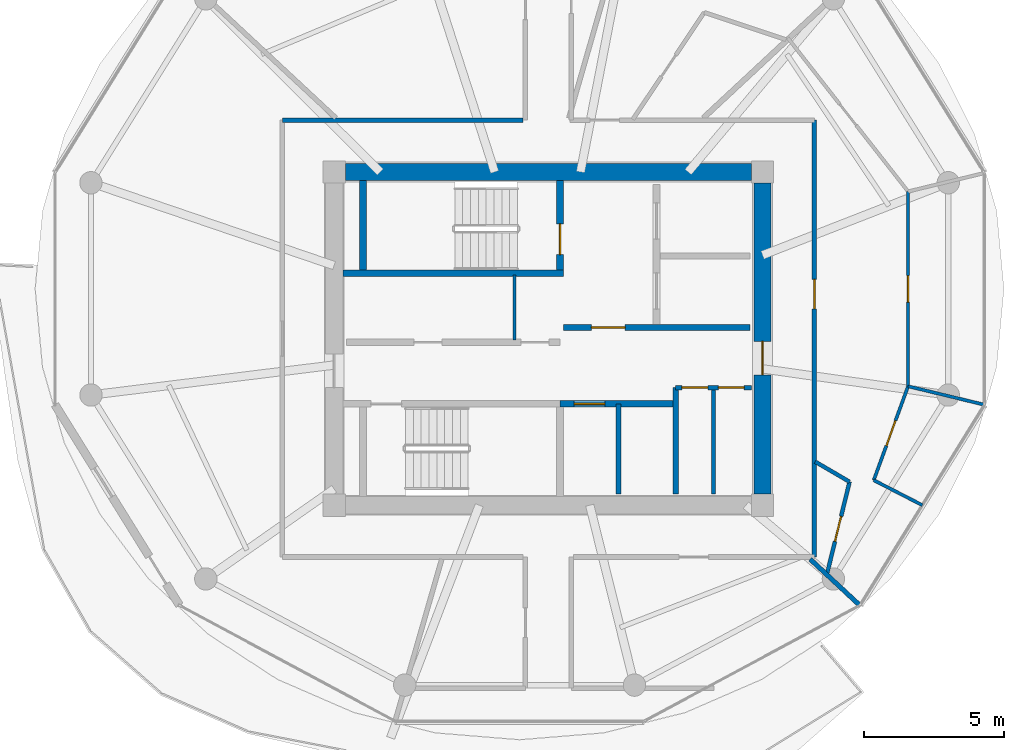
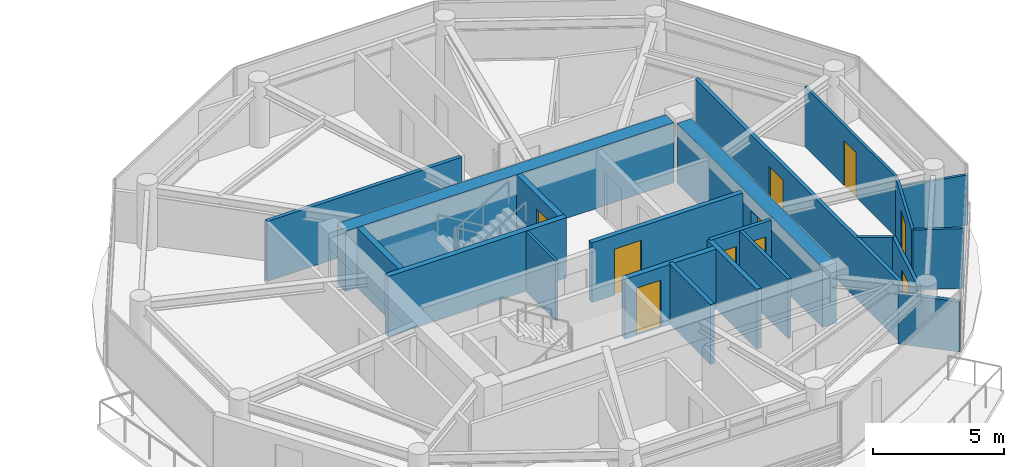
# One storey, part 15 of 21: 21 walls, 10 doors, 10 openings.
"""IFC4 building model written with IfcOpenShell, lengths in metres."""

import ifcopenshell
import ifcopenshell.guid

model = None  # the IFC model being written
_history = None  # IfcOwnerHistory: only IFC2X3 demands one
_inside = {}  # id of a spatial element -> (the spatial element, [elements in it])
_under = {}  # id of a project, library or spatial element -> (it, [spatial elements below it])
_declared = {}  # id of a project -> (the project, [libraries it declares])
_typed = {}  # id of a type object -> (the type object, [elements of that type])
_made_of = {}  # id of a material, layer set ... -> (it, [elements and type objects made of it])


def new_model(schema):
    """Start an empty IFC model of exactly this schema.

    Asked for "IFC4X3", IfcOpenShell would pick the latest addendum, in which some entities
    have other attributes; the version numbers below select the first issue.
    IFC2X3 requires an IfcOwnerHistory on every rooted entity: one is made here for all.
    """
    global model, _history
    if schema == "IFC4X3":
        model = ifcopenshell.file(schema_version=(4, 3, 0, 0))
    else:
        model = ifcopenshell.file(schema=schema)
    _inside.clear()
    _under.clear()
    _declared.clear()
    _typed.clear()
    _made_of.clear()
    _history = None
    if model.schema == "IFC2X3":
        org = make("IfcOrganization", Name="unknown")
        user = make(
            "IfcPersonAndOrganization",
            ThePerson=make("IfcPerson", FamilyName="unknown"),
            TheOrganization=org,
        )
        app = make(
            "IfcApplication",
            ApplicationDeveloper=org,
            Version="unknown",
            ApplicationFullName="unknown",
            ApplicationIdentifier="unknown",
        )
        _history = make(
            "IfcOwnerHistory",
            OwningUser=user,
            OwningApplication=app,
            ChangeAction="ADDED",
            CreationDate=0,
        )
    return model


def make(cls, **values):
    """One entity of the class cls with the attributes given. An attribute that is None is left unset."""
    return model.create_entity(
        cls, **{name: value for name, value in values.items() if value is not None}
    )


def rooted(cls, **values):
    """An entity with a GlobalId (a new one), such as an element, a storey or a relation."""
    return make(cls, GlobalId=ifcopenshell.guid.new(), OwnerHistory=_history, **values)


def si_unit(unit_type, name, prefix=None):
    """IfcSIUnit, for example si_unit("LENGTHUNIT", "METRE", prefix="MILLI")."""
    return make("IfcSIUnit", UnitType=unit_type, Prefix=prefix, Name=name)


def assignment(units):
    """IfcUnitAssignment: the units of a project."""
    return None if units is None else make("IfcUnitAssignment", Units=units)


def point(xyz):
    """IfcCartesianPoint."""
    return None if xyz is None else make("IfcCartesianPoint", Coordinates=xyz)


def direction(xyz):
    """IfcDirection."""
    return None if xyz is None else make("IfcDirection", DirectionRatios=xyz)


def frame(location, z_axis=None, x_axis=None):
    """IfcAxis2Placement3D, a coordinate frame: its origin and axes. An axis left out is left unset."""
    return make(
        "IfcAxis2Placement3D",
        Location=point(location),
        Axis=direction(z_axis),
        RefDirection=direction(x_axis),
    )


def frame_2d(location, x_axis=None):
    """IfcAxis2Placement2D, a coordinate frame in the plane: its origin and x axis."""
    return make(
        "IfcAxis2Placement2D", Location=point(location), RefDirection=direction(x_axis)
    )


def origin():
    """The frame at (0, 0, 0) with its axes left unset."""
    return frame((0.0, 0.0, 0.0))


def place(relative_to, where):
    """IfcLocalPlacement: puts the frame where relative to a parent placement (None: the world)."""
    return make(
        "IfcLocalPlacement", PlacementRelTo=relative_to, RelativePlacement=where
    )


def context(
    kind, dimensions, precision=None, world=None, true_north=None, identifier=None
):
    """IfcGeometricRepresentationContext, for example the 3D "Model" context."""
    return make(
        "IfcGeometricRepresentationContext",
        ContextIdentifier=identifier,
        ContextType=kind,
        CoordinateSpaceDimension=dimensions,
        Precision=precision,
        WorldCoordinateSystem=world,
        TrueNorth=true_north,
    )


def subcontext(parent, identifier, kind, view, scale=None):
    """IfcGeometricRepresentationSubContext, for example "Body" below "Model"."""
    return make(
        "IfcGeometricRepresentationSubContext",
        ContextIdentifier=identifier,
        ContextType=kind,
        ParentContext=parent,
        TargetScale=scale,
        TargetView=view,
    )


def project(units=None, contexts=None):
    """IfcProject with its units and contexts."""
    return rooted(
        "IfcProject",
        Name="project",
        RepresentationContexts=contexts,
        UnitsInContext=assignment(units),
    )


def spatial(cls, under=None, at=None, **own):
    """A site, building, storey or space (cls), placed at a placement, below another one or the project."""
    s = rooted(cls, ObjectPlacement=at, **own)
    if under is not None:
        _under.setdefault(under.id(), (under, []))[1].append(s)
    return s


def profile(cls, at=None, kind="AREA", **sizes):
    """A parametric profile (cls). Its sizes go by their IFC names, for example OverallWidth=200.0."""
    return make(cls, ProfileType=kind, Position=at, **sizes)


def rectangle(**sizes):
    """IfcRectangleProfileDef."""
    return profile("IfcRectangleProfileDef", **sizes)


def extrude(swept, where, along, depth):
    """IfcExtrudedAreaSolid: the profile swept, set in the frame where, extruded along a direction by depth."""
    return make(
        "IfcExtrudedAreaSolid",
        SweptArea=swept,
        Position=where,
        ExtrudedDirection=direction(along),
        Depth=depth,
    )


def shape(context_of_items, identifier, shape_type, items):
    """IfcShapeRepresentation: the items that make up one representation, for example the "Body"."""
    return make(
        "IfcShapeRepresentation",
        ContextOfItems=context_of_items,
        RepresentationIdentifier=identifier,
        RepresentationType=shape_type,
        Items=items,
    )


def source(mapping_origin, context_of_items, identifier, shape_type, items):
    """IfcRepresentationMap: a shape defined once, which mapped items show again and again."""
    return make(
        "IfcRepresentationMap",
        MappingOrigin=mapping_origin,
        MappedRepresentation=shape(context_of_items, identifier, shape_type, items),
    )


def transform(
    local_origin,
    x_axis=None,
    y_axis=None,
    z_axis=None,
    scale=None,
    scale2=None,
    scale3=None,
    uniform=True,
):
    """IfcCartesianTransformationOperator3D, or its non-uniform kind. x_axis, y_axis, z_axis: its Axis1, 2, 3."""
    if uniform:
        return make(
            "IfcCartesianTransformationOperator3D",
            Axis1=direction(x_axis),
            Axis2=direction(y_axis),
            LocalOrigin=point(local_origin),
            Scale=scale,
            Axis3=direction(z_axis),
        )
    return make(
        "IfcCartesianTransformationOperator3DnonUniform",
        Axis1=direction(x_axis),
        Axis2=direction(y_axis),
        LocalOrigin=point(local_origin),
        Scale=scale,
        Axis3=direction(z_axis),
        Scale2=scale2,
        Scale3=scale3,
    )


def mapped(mapping_source, mapping_target):
    """IfcMappedItem: shows the shape of a source again, moved by a transform."""
    return make(
        "IfcMappedItem", MappingSource=mapping_source, MappingTarget=mapping_target
    )


def material(Name=None, Category=None):
    """IfcMaterial."""
    return make("IfcMaterial", Name=Name, Category=Category)


def layer(
    of_material, thickness, ventilated=None, Name=None, Category=None, Priority=None
):
    """IfcMaterialLayer: one layer of a wall or slab, of a material (None: an air gap)."""
    return make(
        "IfcMaterialLayer",
        Material=of_material,
        LayerThickness=thickness,
        IsVentilated=ventilated,
        Name=Name,
        Category=Category,
        Priority=Priority,
    )


def layer_set(layers, Name=None):
    """IfcMaterialLayerSet."""
    return make("IfcMaterialLayerSet", MaterialLayers=layers, LayerSetName=Name)


def made_of(thing, what):
    """Note that an element or type object is made of a material, layer set ...; save() writes the relation."""
    if what is not None:
        _made_of.setdefault(what.id(), (what, []))[1].append(thing)
    return thing


def type_object(cls, material=None, **own):
    """A type object (cls), such as IfcWallType, which elements share."""
    return made_of(rooted(cls, **own), material)


def type_shapes(of_type, sources):
    """Give a type object the sources (RepresentationMaps) that its elements show as mapped items."""
    of_type.RepresentationMaps = sources


def element(
    cls,
    number,
    at=None,
    inside=None,
    cuts=None,
    type_object=None,
    material=None,
    context=None,
    identifier="Body",
    shape_type=None,
    held_by="IfcProductDefinitionShape",
    body=None,
    shapes=None,
    **own,
):
    """One element of the class cls, such as IfcWall. Its Tag is "e" and its number.

    at: its placement. inside: the storey or other place that contains it. cuts: it is an
    opening in that element (IfcRelVoidsElement). A single representation is given by context,
    identifier, shape_type and body (its items); several are given by shapes. held_by: the class
    of the entity that holds the representations. save() writes the other relations.
    """
    e = rooted(cls, Tag="e%d" % number, ObjectPlacement=at, **own)
    if body is not None:
        shapes = [shape(context, identifier, shape_type, body)]
    if shapes is not None:
        e.Representation = make(held_by, Representations=shapes)
    if inside is not None:
        _inside.setdefault(inside.id(), (inside, []))[1].append(e)
    if cuts is not None:
        rooted(
            "IfcRelVoidsElement", RelatingBuildingElement=cuts, RelatedOpeningElement=e
        )
    if type_object is not None:
        _typed.setdefault(type_object.id(), (type_object, []))[1].append(e)
    return made_of(e, material)


def fill(opening, filler):
    """IfcRelFillsElement: the door or window that sits in an opening."""
    return rooted(
        "IfcRelFillsElement",
        RelatingOpeningElement=opening,
        RelatedBuildingElement=filler,
    )


def aggregate(whole, parts):
    """IfcRelAggregates: a whole, such as a stair, and the parts it consists of."""
    return rooted("IfcRelAggregates", RelatingObject=whole, RelatedObjects=parts)


def save(model, path):
    """Write the relations noted so far, then the file.

    IfcRelAggregates (storeys below a building ...), IfcRelContainedInSpatialStructure (elements
    in a storey), IfcRelDefinesByType, IfcRelAssociatesMaterial and IfcRelDeclares: one each for
    every whole, place, type object, material and project.
    """
    for whole, parts in _under.values():
        aggregate(whole, parts)
    for where, things in _inside.values():
        rooted(
            "IfcRelContainedInSpatialStructure",
            RelatedElements=things,
            RelatingStructure=where,
        )
    for kind, things in _typed.values():
        rooted("IfcRelDefinesByType", RelatedObjects=things, RelatingType=kind)
    for what, things in _made_of.values():
        rooted("IfcRelAssociatesMaterial", RelatedObjects=things, RelatingMaterial=what)
    for by, libraries in _declared.values():
        rooted("IfcRelDeclares", RelatingContext=by, RelatedDefinitions=libraries)
    model.write(path)


model = new_model("IFC4")

# Units and contexts
model_context = context("Model", 3, precision=1e-05, world=origin(), true_north=direction((0.0, 1.0)))
body_context = subcontext(model_context, "Body", "Model", "MODEL_VIEW")
ifc_project = project(units=[si_unit("LENGTHUNIT", "METRE"), si_unit("AREAUNIT", "SQUARE_METRE"), si_unit("VOLUMEUNIT", "CUBIC_METRE"), si_unit("PLANEANGLEUNIT", "RADIAN"), si_unit("MASSUNIT", "GRAM", prefix="KILO")], contexts=[model_context])

# Site, building, storey
site_placement = place(None, origin())
site = spatial("IfcSite", under=ifc_project, at=site_placement, CompositionType="ELEMENT")
building_placement = place(site_placement, origin())
building = spatial("IfcBuilding", under=site, at=building_placement, Name="Norrkilde Senior Care Towers", CompositionType="ELEMENT")
storey_placement = place(building_placement, frame((0.0, 0.0, 143.449951171875)))
storey = spatial("IfcBuildingStorey", under=building, at=storey_placement, Name="L44", CompositionType="ELEMENT", Elevation=143.449951171875)

# Wall
ifc_material_1 = material(Name="Concrete C50/60", Category="concrete")
ifc_layer_1 = layer(ifc_material_1, 0.6201171875)
ifc_layer_set_1 = layer_set([ifc_layer_1], Name="Concrete C50/60")
wall_type_1 = type_object("IfcWallType", Name="Core Shear Wall Z3 620", PredefinedType="SHEAR", material=ifc_layer_set_1)
shared_shape_1 = source(origin(), body_context, "Body", "SweptSolid", [
    extrude(rectangle(XDim=14.5, YDim=0.6201171875, at=frame_2d((7.25, 0.0))), origin(), (0.0, 0.0, 1.0), 2.81005859375),
])
wall_1_placement = place(storey_placement, frame((20.75, 5.949951171875, 0.0), z_axis=(0.0, 0.0, 1.0), x_axis=(1.0, 0.0, 0.0)))
element("IfcWall", 1, at=wall_1_placement, inside=storey, type_object=wall_type_1, Name="L44 Core E North Shear Wall", PredefinedType="SHEAR", context=body_context, shape_type="MappedRepresentation", body=[
    mapped(shared_shape_1, transform((0.0, 0.0, 0.0), x_axis=(1.0, 0.0, 0.0), y_axis=(0.0, 1.0, 0.0), z_axis=(0.0, 0.0, 1.0), scale=1.0)),
])

# Wall, opening, door
shared_shape_2 = source(origin(), body_context, "Body", "SweptSolid", [
    extrude(rectangle(XDim=11.10009765625, YDim=0.6201171875, at=frame_2d((5.550048828125, 0.0))), origin(), (0.0, 0.0, 1.0), 2.81005859375),
])
type_shapes(wall_type_1, [shared_shape_1, shared_shape_2])
wall_2_placement = place(storey_placement, frame((35.64990234375, 5.550048828125, 0.0), z_axis=(0.0, 0.0, 1.0), x_axis=(0.0, -1.0, 0.0)))
wall_2 = element("IfcWall", 2, at=wall_2_placement, inside=storey, type_object=wall_type_1, Name="L44 Core E East Shear Wall", PredefinedType="SHEAR", context=body_context, shape_type="MappedRepresentation", body=[
    mapped(shared_shape_2, transform((0.0, 0.0, 0.0), x_axis=(1.0, 0.0, 0.0), y_axis=(0.0, 1.0, 0.0), z_axis=(0.0, 0.0, 1.0), scale=1.0)),
])
opening_1_placement = place(wall_2_placement, frame((5.64990234375, 0.0, 0.0)))
opening_1 = element("IfcOpeningElement", 3, at=opening_1_placement, cuts=wall_2, Name="Opening D-04", PredefinedType="OPENING", context=body_context, shape_type="SweptSolid", body=[
    extrude(rectangle(XDim=1.199951171875, YDim=2.14990234375, at=frame_2d((0.60009765625, 1.074951171875))), frame((0.0, 0.320068359375, 0.0), z_axis=(0.0, -1.0, 0.0), x_axis=(1.0, 0.0, 0.0)), (0.0, 0.0, 1.0), 0.64013671875),
])
ifc_material_2 = material(Name="Galvanised Painted Steel", Category="steel")
door_type_1 = type_object("IfcDoorType", Name="Firefighting Lobby Fire Door 1200x2150", OperationType="NOTDEFINED", PredefinedType="DOOR", material=ifc_material_2)
shared_shape_3 = source(origin(), body_context, "Body", "SweptSolid", [
    extrude(rectangle(XDim=1.199951171875, YDim=2.14990234375, at=frame_2d((0.60009765625, 1.074951171875))), frame((0.0, 0.02490234375, 0.0), z_axis=(0.0, -1.0, 0.0), x_axis=(1.0, 0.0, 0.0)), (0.0, 0.0, 1.0), 0.050048828125),
])
type_shapes(door_type_1, [shared_shape_3])
door_1_placement = place(opening_1_placement, frame((1.199951171875, 0.0, 0.0), z_axis=(0.0, 0.0, 1.0), x_axis=(-1.0, 0.0, 0.0)))
door_1 = element("IfcDoor", 4, at=door_1_placement, inside=storey, type_object=door_type_1, Name="L44 Core E East Portal Door", OperationType="SINGLE_SWING_RIGHT", OverallHeight=2.14990234375, OverallWidth=1.199951171875, PredefinedType="DOOR", context=body_context, shape_type="MappedRepresentation", body=[
    mapped(shared_shape_3, transform((0.0, 0.0, 0.0), x_axis=(1.0, 0.0, 0.0), y_axis=(0.0, 1.0, 0.0), z_axis=(0.0, 0.0, 1.0), scale=1.0)),
])
fill(opening_1, door_1)

# Walls
ifc_material_3 = material(Name="Concrete C45/55", Category="concrete")
ifc_layer_2 = layer(ifc_material_3, 0.239990234375)
ifc_layer_set_2 = layer_set([ifc_layer_2], Name="Concrete C45/55")
wall_type_2 = type_object("IfcWallType", Name="Shaft and Stair Enclosure Wall 240", PredefinedType="PARTITIONING", material=ifc_layer_set_2)
shared_shape_4 = source(origin(), body_context, "Body", "SweptSolid", [
    extrude(rectangle(XDim=7.880126953125, YDim=0.239990234375, at=frame_2d((3.93994140625, 0.0))), origin(), (0.0, 0.0, 1.0), 2.81005859375),
])
wall_3_placement = place(storey_placement, frame((20.659912109375, 2.330078125, 0.0), z_axis=(0.0, 0.0, 1.0), x_axis=(1.0, 0.0, 0.0)))
element("IfcWall", 5, at=wall_3_placement, inside=storey, type_object=wall_type_2, Name="WL-INT-L44-E-ST1S", PredefinedType="PARTITIONING", context=body_context, shape_type="MappedRepresentation", body=[
    mapped(shared_shape_4, transform((0.0, 0.0, 0.0), x_axis=(1.0, 0.0, 0.0), y_axis=(0.0, 1.0, 0.0), z_axis=(0.0, 0.0, 1.0), scale=1.0)),
])
shared_shape_5 = source(origin(), body_context, "Body", "SweptSolid", [
    extrude(rectangle(XDim=3.18994140625, YDim=0.239990234375, at=frame_2d((1.594970703125, 0.0))), origin(), (0.0, 0.0, 1.0), 2.81005859375),
])
type_shapes(wall_type_2, [shared_shape_4, shared_shape_5])
wall_4_placement = place(storey_placement, frame((21.3798828125, 2.449951171875, 0.0), z_axis=(0.0, 0.0, 1.0), x_axis=(0.0, 1.0, 0.0)))
element("IfcWall", 6, at=wall_4_placement, inside=storey, type_object=wall_type_2, Name="WL-INT-L44-E-ST1W", PredefinedType="PARTITIONING", context=body_context, shape_type="MappedRepresentation", body=[
    mapped(shared_shape_5, transform((0.0, 0.0, 0.0), x_axis=(1.0, 0.0, 0.0), y_axis=(0.0, 1.0, 0.0), z_axis=(0.0, 0.0, 1.0), scale=1.0)),
])

# Wall, opening, door
wall_5_placement = place(storey_placement, frame((28.419921875, 2.449951171875, 0.0), z_axis=(0.0, 0.0, 1.0), x_axis=(0.0, 1.0, 0.0)))
wall_5 = element("IfcWall", 7, at=wall_5_placement, inside=storey, type_object=wall_type_2, Name="WL-INT-L44-E-ST1E", PredefinedType="PARTITIONING", context=body_context, shape_type="MappedRepresentation", body=[
    mapped(shared_shape_5, transform((0.0, 0.0, 0.0), x_axis=(1.0, 0.0, 0.0), y_axis=(0.0, 1.0, 0.0), z_axis=(0.0, 0.0, 1.0), scale=1.0)),
])
opening_2_placement = place(wall_5_placement, frame((0.550048828125, 0.0, 0.0)))
opening_2 = element("IfcOpeningElement", 8, at=opening_2_placement, cuts=wall_5, Name="Opening D-03", PredefinedType="OPENING", context=body_context, shape_type="SweptSolid", body=[
    extrude(rectangle(XDim=1.10009765625, YDim=2.14990234375, at=frame_2d((0.550048828125, 1.074951171875))), frame((0.0, 0.1298828125, 0.0), z_axis=(0.0, -1.0, 0.0), x_axis=(1.0, 0.0, 0.0)), (0.0, 0.0, 1.0), 0.260009765625),
])
door_type_2 = type_object("IfcDoorType", Name="Stairwell Protected Fire Door 1100x2150", OperationType="NOTDEFINED", PredefinedType="DOOR", material=ifc_material_2)
shared_shape_6 = source(origin(), body_context, "Body", "SweptSolid", [
    extrude(rectangle(XDim=1.10009765625, YDim=2.14990234375, at=frame_2d((0.550048828125, 1.074951171875))), frame((0.0, 0.02490234375, 0.0), z_axis=(0.0, -1.0, 0.0), x_axis=(1.0, 0.0, 0.0)), (0.0, 0.0, 1.0), 0.050048828125),
])
type_shapes(door_type_2, [shared_shape_6])
door_2_placement = place(opening_2_placement, origin())
door_2 = element("IfcDoor", 9, at=door_2_placement, inside=storey, type_object=door_type_2, Name="L44 Stair E1 Fire Door", OperationType="SINGLE_SWING_LEFT", OverallHeight=2.14990234375, OverallWidth=1.10009765625, PredefinedType="DOOR", context=body_context, shape_type="MappedRepresentation", body=[
    mapped(shared_shape_6, transform((0.0, 0.0, 0.0), x_axis=(1.0, 0.0, 0.0), y_axis=(0.0, 1.0, 0.0), z_axis=(0.0, 0.0, 1.0), scale=1.0)),
])
fill(opening_2, door_2)

# Wall
ifc_material_4 = material(Name="Gypsum Acoustic Board")
ifc_layer_3 = layer(ifc_material_4, 0.1650390625)
ifc_layer_set_3 = layer_set([ifc_layer_3], Name="Gypsum Acoustic Board")
wall_type_3 = type_object("IfcWallType", Name="Corridor Rated Partition 165", PredefinedType="PARTITIONING", material=ifc_layer_set_3)
shared_shape_7 = source(origin(), body_context, "Body", "SweptSolid", [
    extrude(rectangle(XDim=2.434814453125, YDim=0.1650390625, at=frame_2d((1.21728515625, 0.0))), origin(), (0.0, 0.0, 1.0), 2.344970703125),
])
wall_6_placement = place(storey_placement, frame((37.3544921875, -7.8798828125, 0.0), z_axis=(0.0, 0.0, 1.0), x_axis=(0.732164643118, -0.681127693878, 0.0)))
element("IfcWall", 10, at=wall_6_placement, inside=storey, type_object=wall_type_3, Name="WL-INT-L44-E-DEM-10-0", PredefinedType="PARTITIONING", context=body_context, shape_type="MappedRepresentation", body=[
    mapped(shared_shape_7, transform((0.0, 0.0, 0.0), x_axis=(1.0, 0.0, 0.0), y_axis=(0.0, 1.0, 0.0), z_axis=(0.0, 0.0, 1.0), scale=1.0)),
])

# Wall, opening, door
ifc_layer_4 = layer(ifc_material_3, 0.2099609375)
ifc_layer_set_4 = layer_set([ifc_layer_4], Name="Concrete C45/55")
wall_type_4 = type_object("IfcWallType", Name="Firefighting Lobby Wall 210", PredefinedType="PARTITIONING", material=ifc_layer_set_4)
shared_shape_8 = source(origin(), body_context, "Body", "SweptSolid", [
    extrude(rectangle(XDim=6.659912109375, YDim=0.2099609375, at=frame_2d((3.330078125, 0.0))), origin(), (0.0, 0.0, 1.0), 2.795166015625),
])
type_shapes(wall_type_4, [shared_shape_8])
wall_7_placement = place(storey_placement, frame((28.5400390625, 0.389892578125, 0.0), z_axis=(0.0, 0.0, 1.0), x_axis=(1.0, 0.0, 0.0)))
wall_7 = element("IfcWall", 11, at=wall_7_placement, inside=storey, type_object=wall_type_4, Name="WL-INT-L44-E-FFLS", PredefinedType="PARTITIONING", context=body_context, shape_type="MappedRepresentation", body=[
    mapped(shared_shape_8, transform((0.0, 0.0, 0.0), x_axis=(1.0, 0.0, 0.0), y_axis=(0.0, 1.0, 0.0), z_axis=(0.0, 0.0, 1.0), scale=1.0)),
])
opening_3_placement = place(wall_7_placement, frame((1.0, 0.0, 0.0)))
opening_3 = element("IfcOpeningElement", 12, at=opening_3_placement, cuts=wall_7, Name="Opening D-04", PredefinedType="OPENING", context=body_context, shape_type="SweptSolid", body=[
    extrude(rectangle(XDim=1.199951171875, YDim=2.14990234375, at=frame_2d((0.60009765625, 1.074951171875))), frame((0.0, 0.114990234375, 0.0), z_axis=(0.0, -1.0, 0.0), x_axis=(1.0, 0.0, 0.0)), (0.0, 0.0, 1.0), 0.22998046875),
])
door_3_placement = place(opening_3_placement, frame((1.199951171875, 0.0, 0.0), z_axis=(0.0, 0.0, 1.0), x_axis=(-1.0, 0.0, 0.0)))
door_3 = element("IfcDoor", 13, at=door_3_placement, inside=storey, type_object=door_type_1, Name="L44 Firefighting Lobby E Door", OperationType="SINGLE_SWING_LEFT", OverallHeight=2.14990234375, OverallWidth=1.199951171875, PredefinedType="DOOR", context=body_context, shape_type="MappedRepresentation", body=[
    mapped(shared_shape_3, transform((0.0, 0.0, 0.0), x_axis=(1.0, 0.0, 0.0), y_axis=(0.0, 1.0, 0.0), z_axis=(0.0, 0.0, 1.0), scale=1.0)),
])
fill(opening_3, door_3)

# Walls
ifc_layer_5 = layer(ifc_material_4, 0.114990234375)
ifc_layer_set_5 = layer_set([ifc_layer_5], Name="Gypsum Acoustic Board")
wall_type_5 = type_object("IfcWallType", Name="Internal Room Partition 115", PredefinedType="PARTITIONING", material=ifc_layer_set_5)
shared_shape_9 = source(origin(), body_context, "Body", "SweptSolid", [
    extrude(rectangle(XDim=2.330078125, YDim=0.114990234375, at=frame_2d((1.1650390625, 0.0))), origin(), (0.0, 0.0, 1.0), 2.795166015625),
])
wall_8_placement = place(storey_placement, frame((26.7900390625, -0.050048828125, 0.0), z_axis=(0.0, 0.0, 1.0), x_axis=(0.0, 1.0, 0.0)))
element("IfcWall", 14, at=wall_8_placement, inside=storey, type_object=wall_type_5, Name="WL-INT-L44-E-RISW", PredefinedType="PARTITIONING", context=body_context, shape_type="MappedRepresentation", body=[
    mapped(shared_shape_9, transform((0.0, 0.0, 0.0), x_axis=(1.0, 0.0, 0.0), y_axis=(0.0, 1.0, 0.0), z_axis=(0.0, 0.0, 1.0), scale=1.0)),
])
ifc_layer_6 = layer(ifc_material_3, 0.199951171875)
ifc_layer_set_6 = layer_set([ifc_layer_6], Name="Concrete C45/55")
wall_type_6 = type_object("IfcWallType", Name="Shaft Division and Plant Partition 200", PredefinedType="PARTITIONING", material=ifc_layer_set_6)
shared_shape_10 = source(origin(), body_context, "Body", "SweptSolid", [
    extrude(rectangle(XDim=3.800048828125, YDim=0.199951171875, at=frame_2d((1.89990234375, 0.0))), origin(), (0.0, 0.0, 1.0), 2.795166015625),
])
type_shapes(wall_type_6, [shared_shape_10])
wall_9_placement = place(storey_placement, frame((32.550048828125, -5.550048828125, 0.0), z_axis=(0.0, 0.0, 1.0), x_axis=(0.0, 1.0, 0.0)))
element("IfcWall", 15, at=wall_9_placement, inside=storey, type_object=wall_type_6, Name="WL-INT-L44-E-PKBE", PredefinedType="PARTITIONING", context=body_context, shape_type="MappedRepresentation", body=[
    mapped(shared_shape_10, transform((0.0, 0.0, 0.0), x_axis=(1.0, 0.0, 0.0), y_axis=(0.0, 1.0, 0.0), z_axis=(0.0, 0.0, 1.0), scale=1.0)),
])

# Wall, opening, door
ifc_layer_7 = layer(ifc_material_3, 0.239990234375)
ifc_layer_set_7 = layer_set([ifc_layer_7], Name="Concrete C45/55")
wall_type_7 = type_object("IfcWallType", Name="Lift and Plant Rated Enclosure Partition 240", PredefinedType="PARTITIONING", material=ifc_layer_set_7)
shared_shape_11 = source(origin(), body_context, "Body", "SweptSolid", [
    extrude(rectangle(XDim=4.130126953125, YDim=0.239990234375, at=frame_2d((2.06494140625, 0.0))), origin(), (0.0, 0.0, 1.0), 2.795166015625),
])
type_shapes(wall_type_7, [shared_shape_11])
wall_10_placement = place(storey_placement, frame((28.419921875, -2.330078125, 0.0), z_axis=(0.0, 0.0, 1.0), x_axis=(1.0, 0.0, 0.0)))
wall_10 = element("IfcWall", 16, at=wall_10_placement, inside=storey, type_object=wall_type_7, Name="WL-INT-L44-E-PKBN", PredefinedType="PARTITIONING", context=body_context, shape_type="MappedRepresentation", body=[
    mapped(shared_shape_11, transform((0.0, 0.0, 0.0), x_axis=(1.0, 0.0, 0.0), y_axis=(0.0, 1.0, 0.0), z_axis=(0.0, 0.0, 1.0), scale=1.0)),
])
opening_4_placement = place(wall_10_placement, frame((0.5, 0.0, 0.0)))
opening_4 = element("IfcOpeningElement", 17, at=opening_4_placement, cuts=wall_10, Name="Opening LD-01", PredefinedType="OPENING", context=body_context, shape_type="SweptSolid", body=[
    extrude(rectangle(XDim=1.10009765625, YDim=2.199951171875, at=frame_2d((0.550048828125, 1.10009765625))), frame((0.0, 0.1298828125, 0.0), z_axis=(0.0, -1.0, 0.0), x_axis=(1.0, 0.0, 0.0)), (0.0, 0.0, 1.0), 0.260009765625),
])
ifc_material_5 = material(Name="Stainless Steel", Category="steel")
door_type_3 = type_object("IfcDoorType", Name="Lift Landing Sliding Door 1100x2200", OperationType="NOTDEFINED", PredefinedType="DOOR", material=ifc_material_5)
shared_shape_12 = source(origin(), body_context, "Body", "SweptSolid", [
    extrude(rectangle(XDim=1.10009765625, YDim=2.199951171875, at=frame_2d((0.550048828125, 1.10009765625))), frame((0.0, 0.02490234375, 0.0), z_axis=(0.0, -1.0, 0.0), x_axis=(1.0, 0.0, 0.0)), (0.0, 0.0, 1.0), 0.050048828125),
])
type_shapes(door_type_3, [shared_shape_12])
door_4_placement = place(opening_4_placement, frame((1.10009765625, 0.0, 0.0), z_axis=(0.0, 0.0, 1.0), x_axis=(-1.0, 0.0, 0.0)))
door_4 = element("IfcDoor", 18, at=door_4_placement, inside=storey, type_object=door_type_3, Name="L44 Passenger Lift E3 Landing Door", OperationType="SLIDING_TO_LEFT", OverallHeight=2.199951171875, OverallWidth=1.10009765625, PredefinedType="DOOR", context=body_context, shape_type="MappedRepresentation", body=[
    mapped(shared_shape_12, transform((0.0, 0.0, 0.0), x_axis=(1.0, 0.0, 0.0), y_axis=(0.0, 1.0, 0.0), z_axis=(0.0, 0.0, 1.0), scale=1.0)),
])
fill(opening_4, door_4)

# Wall
ifc_layer_8 = layer(ifc_material_3, 0.179931640625)
ifc_layer_set_8 = layer_set([ifc_layer_8], Name="Concrete C45/55")
wall_type_8 = type_object("IfcWallType", Name="Hoistway Division Rated Partition 180", PredefinedType="PARTITIONING", material=ifc_layer_set_8)
shared_shape_13 = source(origin(), body_context, "Body", "SweptSolid", [
    extrude(rectangle(XDim=3.219970703125, YDim=0.179931640625, at=frame_2d((1.60986328125, 0.0))), origin(), (0.0, 0.0, 1.0), 2.795166015625),
])
type_shapes(wall_type_8, [shared_shape_13])
wall_11_placement = place(storey_placement, frame((30.5, -5.550048828125, 0.0), z_axis=(0.0, 0.0, 1.0), x_axis=(0.0, 1.0, 0.0)))
element("IfcWall", 19, at=wall_11_placement, inside=storey, type_object=wall_type_8, Name="WL-INT-L44-E-PL34", PredefinedType="PARTITIONING", context=body_context, shape_type="MappedRepresentation", body=[
    mapped(shared_shape_13, transform((0.0, 0.0, 0.0), x_axis=(1.0, 0.0, 0.0), y_axis=(0.0, 1.0, 0.0), z_axis=(0.0, 0.0, 1.0), scale=1.0)),
])

# Wall, openings, doors
shared_shape_14 = source(origin(), body_context, "Body", "SweptSolid", [
    extrude(rectangle(XDim=2.699951171875, YDim=0.1650390625, at=frame_2d((1.35009765625, 0.0))), origin(), (0.0, 0.0, 1.0), 2.795166015625),
])
wall_12_placement = place(storey_placement, frame((32.550048828125, -1.75, 0.0), z_axis=(0.0, 0.0, 1.0), x_axis=(1.0, 0.0, 0.0)))
wall_12 = element("IfcWall", 20, at=wall_12_placement, inside=storey, type_object=wall_type_3, Name="WL-INT-L44-E-CSN", PredefinedType="PARTITIONING", context=body_context, shape_type="MappedRepresentation", body=[
    mapped(shared_shape_14, transform((0.0, 0.0, 0.0), x_axis=(1.0, 0.0, 0.0), y_axis=(0.0, 1.0, 0.0), z_axis=(0.0, 0.0, 1.0), scale=1.0)),
])
opening_5_placement = place(wall_12_placement, frame((0.222412109375, 0.0, 0.0)))
opening_5 = element("IfcOpeningElement", 21, at=opening_5_placement, cuts=wall_12, Name="Opening D-12", PredefinedType="OPENING", context=body_context, shape_type="SweptSolid", body=[
    extrude(rectangle(XDim=0.925048828125, YDim=2.10009765625, at=frame_2d((0.46240234375, 1.050048828125))), frame((0.0, 0.092529296875, 0.0), z_axis=(0.0, -1.0, 0.0), x_axis=(1.0, 0.0, 0.0)), (0.0, 0.0, 1.0), 0.18505859375),
])
opening_6_placement = place(wall_12_placement, frame((1.5224609375, 0.0, 0.0)))
opening_6 = element("IfcOpeningElement", 22, at=opening_6_placement, cuts=wall_12, Name="Opening D-12", PredefinedType="OPENING", context=body_context, shape_type="SweptSolid", body=[
    extrude(rectangle(XDim=0.925048828125, YDim=2.10009765625, at=frame_2d((0.46240234375, 1.050048828125))), frame((0.0, 0.092529296875, 0.0), z_axis=(0.0, -1.0, 0.0), x_axis=(1.0, 0.0, 0.0)), (0.0, 0.0, 1.0), 0.18505859375),
])
door_type_4 = type_object("IfcDoorType", Name="Core Wet Room Rated Door 925x2100", OperationType="NOTDEFINED", PredefinedType="DOOR", material=ifc_material_2)
shared_shape_15 = source(origin(), body_context, "Body", "SweptSolid", [
    extrude(rectangle(XDim=0.925048828125, YDim=2.10009765625, at=frame_2d((0.46240234375, 1.050048828125))), frame((0.0, 0.02490234375, 0.0), z_axis=(0.0, -1.0, 0.0), x_axis=(1.0, 0.0, 0.0)), (0.0, 0.0, 1.0), 0.050048828125),
])
type_shapes(door_type_4, [shared_shape_15])
door_5_placement = place(opening_5_placement, origin())
door_5 = element("IfcDoor", 23, at=door_5_placement, inside=storey, type_object=door_type_4, Name="L44 Staff Accessible WC E Door", OperationType="SINGLE_SWING_LEFT", OverallHeight=2.10009765625, OverallWidth=0.925048828125, PredefinedType="DOOR", context=body_context, shape_type="MappedRepresentation", body=[
    mapped(shared_shape_15, transform((0.0, 0.0, 0.0), x_axis=(1.0, 0.0, 0.0), y_axis=(0.0, 1.0, 0.0), z_axis=(0.0, 0.0, 1.0), scale=1.0)),
])
fill(opening_5, door_5)
door_6_placement = place(opening_6_placement, origin())
door_6 = element("IfcDoor", 24, at=door_6_placement, inside=storey, type_object=door_type_4, Name="L44 Housekeeping Store E Door", OperationType="SINGLE_SWING_RIGHT", OverallHeight=2.10009765625, OverallWidth=0.925048828125, PredefinedType="DOOR", context=body_context, shape_type="MappedRepresentation", body=[
    mapped(shared_shape_15, transform((0.0, 0.0, 0.0), x_axis=(1.0, 0.0, 0.0), y_axis=(0.0, 1.0, 0.0), z_axis=(0.0, 0.0, 1.0), scale=1.0)),
])
fill(opening_6, door_6)

# Wall
shared_shape_16 = source(origin(), body_context, "Body", "SweptSolid", [
    extrude(rectangle(XDim=8.60009765625, YDim=0.1650390625, at=frame_2d((4.300048828125, 0.0))), origin(), (0.0, 0.0, 1.0), 2.795166015625),
])
wall_13_placement = place(storey_placement, frame((18.5, 7.800048828125, 0.0), z_axis=(0.0, 0.0, 1.0), x_axis=(1.0, 0.0, 0.0)))
element("IfcWall", 25, at=wall_13_placement, inside=storey, type_object=wall_type_3, Name="WL-INT-L44-E-CRW-N-0", PredefinedType="PARTITIONING", context=body_context, shape_type="MappedRepresentation", body=[
    mapped(shared_shape_16, transform((0.0, 0.0, 0.0), x_axis=(1.0, 0.0, 0.0), y_axis=(0.0, 1.0, 0.0), z_axis=(0.0, 0.0, 1.0), scale=1.0)),
])

# Wall, opening, door
shared_shape_17 = source(origin(), body_context, "Body", "SweptSolid", [
    extrude(rectangle(XDim=15.60009765625, YDim=0.1650390625, at=frame_2d((7.800048828125, 0.0))), origin(), (0.0, 0.0, 1.0), 2.795166015625),
])
type_shapes(wall_type_3, [shared_shape_7, shared_shape_14, shared_shape_16, shared_shape_17])
wall_14_placement = place(storey_placement, frame((37.5, 7.800048828125, 0.0), z_axis=(0.0, 0.0, 1.0), x_axis=(0.0, -1.0, 0.0)))
wall_14 = element("IfcWall", 26, at=wall_14_placement, inside=storey, type_object=wall_type_3, Name="WL-INT-L44-E-CRW-E-0", PredefinedType="PARTITIONING", context=body_context, shape_type="MappedRepresentation", body=[
    mapped(shared_shape_17, transform((0.0, 0.0, 0.0), x_axis=(1.0, 0.0, 0.0), y_axis=(0.0, 1.0, 0.0), z_axis=(0.0, 0.0, 1.0), scale=1.0)),
])
opening_7_placement = place(wall_14_placement, frame((5.6865234375, 0.0, 0.0)))
opening_7 = element("IfcOpeningElement", 27, at=opening_7_placement, cuts=wall_14, Name="Opening D-06", PredefinedType="OPENING", context=body_context, shape_type="SweptSolid", body=[
    extrude(rectangle(XDim=1.050048828125, YDim=2.14990234375, at=frame_2d((0.52490234375, 1.074951171875))), frame((0.0, 0.092529296875, 0.0), z_axis=(0.0, -1.0, 0.0), x_axis=(1.0, 0.0, 0.0)), (0.0, 0.0, 1.0), 0.18505859375),
])
ifc_material_6 = material(Name="Nordic Ash Timber", Category="wood")
door_type_5 = type_object("IfcDoorType", Name="Apartment Entrance Fire Door 1050x2150", OperationType="NOTDEFINED", PredefinedType="DOOR", material=ifc_material_6)
shared_shape_18 = source(origin(), body_context, "Body", "SweptSolid", [
    extrude(rectangle(XDim=1.050048828125, YDim=2.14990234375, at=frame_2d((0.52490234375, 1.074951171875))), frame((0.0, 0.02490234375, 0.0), z_axis=(0.0, -1.0, 0.0), x_axis=(1.0, 0.0, 0.0)), (0.0, 0.0, 1.0), 0.050048828125),
])
type_shapes(door_type_5, [shared_shape_18])
door_7_placement = place(opening_7_placement, frame((1.050048828125, 0.0, 0.0), z_axis=(0.0, 0.0, 1.0), x_axis=(-1.0, 0.0, 0.0)))
door_7 = element("IfcDoor", 28, at=door_7_placement, inside=storey, type_object=door_type_5, Name="Apartment 44B Entrance Door", OperationType="SINGLE_SWING_LEFT", OverallHeight=2.14990234375, OverallWidth=1.050048828125, PredefinedType="DOOR", context=body_context, shape_type="MappedRepresentation", body=[
    mapped(shared_shape_18, transform((0.0, 0.0, 0.0), x_axis=(1.0, 0.0, 0.0), y_axis=(0.0, 1.0, 0.0), z_axis=(0.0, 0.0, 1.0), scale=1.0)),
])
fill(opening_7, door_7)

# Wall
ifc_layer_9 = layer(ifc_material_4, 0.139892578125)
ifc_layer_set_9 = layer_set([ifc_layer_9], Name="Gypsum Acoustic Board")
wall_type_9 = type_object("IfcWallType", Name="En-suite Wet Room Wall 140", PredefinedType="PARTITIONING", material=ifc_layer_set_9)
shared_shape_19 = source(origin(), body_context, "Body", "SweptSolid", [
    extrude(rectangle(XDim=1.4248046875, YDim=0.139892578125, at=frame_2d((0.71240234375, 0.0))), origin(), (0.0, 0.0, 1.0), 2.795166015625),
])
wall_15_placement = place(storey_placement, frame((37.530029296875, -4.3955078125, 0.0), z_axis=(0.0, 0.0, 1.0), x_axis=(0.86324395577, -0.50478695786, 0.0)))
element("IfcWall", 29, at=wall_15_placement, inside=storey, type_object=wall_type_9, Name="WL-INT-L44-E-UBTS-10", PredefinedType="PARTITIONING", context=body_context, shape_type="MappedRepresentation", body=[
    mapped(shared_shape_19, transform((0.0, 0.0, 0.0), x_axis=(1.0, 0.0, 0.0), y_axis=(0.0, 1.0, 0.0), z_axis=(0.0, 0.0, 1.0), scale=1.0)),
])

# Wall, opening, door
shared_shape_20 = source(origin(), body_context, "Body", "SweptSolid", [
    extrude(rectangle(XDim=3.46435546875, YDim=0.139892578125, at=frame_2d((1.732177734375, 0.0))), origin(), (0.0, 0.0, 1.0), 2.795166015625),
])
wall_16_placement = place(storey_placement, frame((38.760009765625, -5.11474609375, 0.0), z_axis=(0.0, 0.0, 1.0), x_axis=(-0.238055968485, -0.971251438027, 0.0)))
wall_16 = element("IfcWall", 30, at=wall_16_placement, inside=storey, type_object=wall_type_9, Name="WL-INT-L44-E-UBTF-10", PredefinedType="PARTITIONING", context=body_context, shape_type="MappedRepresentation", body=[
    mapped(shared_shape_20, transform((0.0, 0.0, 0.0), x_axis=(1.0, 0.0, 0.0), y_axis=(0.0, 1.0, 0.0), z_axis=(0.0, 0.0, 1.0), scale=1.0)),
])
opening_8_placement = place(wall_16_placement, frame((1.272216796875, 0.0, 0.0)))
opening_8 = element("IfcOpeningElement", 31, at=opening_8_placement, cuts=wall_16, Name="Opening D-08", PredefinedType="OPENING", context=body_context, shape_type="SweptSolid", body=[
    extrude(rectangle(XDim=0.919921875, YDim=2.10009765625, at=frame_2d((0.4599609375, 1.050048828125))), frame((0.0, 0.079833984375, 0.0), z_axis=(0.0, -1.0, 0.0), x_axis=(1.0, 0.0, 0.0)), (0.0, 0.0, 1.0), 0.159912109375),
])
door_type_6 = type_object("IfcDoorType", Name="Accessible Wet Room Door 920x2100", OperationType="NOTDEFINED", PredefinedType="DOOR", material=ifc_material_6)
shared_shape_21 = source(origin(), body_context, "Body", "SweptSolid", [
    extrude(rectangle(XDim=0.919921875, YDim=2.10009765625, at=frame_2d((0.4599609375, 1.050048828125))), frame((0.0, 0.02490234375, 0.0), z_axis=(0.0, -1.0, 0.0), x_axis=(1.0, 0.0, 0.0)), (0.0, 0.0, 1.0), 0.050048828125),
])
type_shapes(door_type_6, [shared_shape_21])
door_8_placement = place(opening_8_placement, origin())
door_8 = element("IfcDoor", 32, at=door_8_placement, inside=storey, type_object=door_type_6, Name="Apartment 44B Bathroom Door", OperationType="SINGLE_SWING_RIGHT", OverallHeight=2.10009765625, OverallWidth=0.919921875, PredefinedType="DOOR", context=body_context, shape_type="MappedRepresentation", body=[
    mapped(shared_shape_21, transform((0.0, 0.0, 0.0), x_axis=(1.0, 0.0, 0.0), y_axis=(0.0, 1.0, 0.0), z_axis=(0.0, 0.0, 1.0), scale=1.0)),
])
fill(opening_8, door_8)

# Wall
shared_shape_22 = source(origin(), body_context, "Body", "SweptSolid", [
    extrude(rectangle(XDim=3.800048828125, YDim=0.139892578125, at=frame_2d((1.89990234375, 0.0))), origin(), (0.0, 0.0, 1.0), 2.795166015625),
])
type_shapes(wall_type_9, [shared_shape_19, shared_shape_20, shared_shape_22])
wall_17_placement = place(storey_placement, frame((33.89990234375, -5.550048828125, 0.0), z_axis=(0.0, 0.0, 1.0), x_axis=(0.0, 1.0, 0.0)))
element("IfcWall", 33, at=wall_17_placement, inside=storey, type_object=wall_type_9, Name="WL-INT-L44-E-CS1V", PredefinedType="PARTITIONING", context=body_context, shape_type="MappedRepresentation", body=[
    mapped(shared_shape_22, transform((0.0, 0.0, 0.0), x_axis=(1.0, 0.0, 0.0), y_axis=(0.0, 1.0, 0.0), z_axis=(0.0, 0.0, 1.0), scale=1.0)),
])

# Wall, opening, door
shared_shape_23 = source(origin(), body_context, "Body", "SweptSolid", [
    extrude(rectangle(XDim=6.95751953125, YDim=0.114990234375, at=frame_2d((3.478759765625, 0.0))), origin(), (0.0, 0.0, 1.0), 2.795166015625),
])
wall_18_placement = place(storey_placement, frame((40.85107421875, -1.703369140625, 0.0), z_axis=(0.0, 0.0, 1.0), x_axis=(0.0, 1.0, 0.0)))
wall_18 = element("IfcWall", 34, at=wall_18_placement, inside=storey, type_object=wall_type_5, Name="WL-INT-L44-E-UBC-10-1", PredefinedType="PARTITIONING", context=body_context, shape_type="MappedRepresentation", body=[
    mapped(shared_shape_23, transform((0.0, 0.0, 0.0), x_axis=(1.0, 0.0, 0.0), y_axis=(0.0, 1.0, 0.0), z_axis=(0.0, 0.0, 1.0), scale=1.0)),
])
opening_9_placement = place(wall_18_placement, frame((3.003662109375, 0.0, 0.0)))
opening_9 = element("IfcOpeningElement", 35, at=opening_9_placement, cuts=wall_18, Name="Opening D-07", PredefinedType="OPENING", context=body_context, shape_type="SweptSolid", body=[
    extrude(rectangle(XDim=0.949951171875, YDim=2.10009765625, at=frame_2d((0.47509765625, 1.050048828125))), frame((0.0, 0.0673828125, 0.0), z_axis=(0.0, -1.0, 0.0), x_axis=(1.0, 0.0, 0.0)), (0.0, 0.0, 1.0), 0.135009765625),
])
door_type_7 = type_object("IfcDoorType", Name="Internal Suite Bedroom Door 950x2100", OperationType="NOTDEFINED", PredefinedType="DOOR", material=ifc_material_6)
shared_shape_24 = source(origin(), body_context, "Body", "SweptSolid", [
    extrude(rectangle(XDim=0.949951171875, YDim=2.10009765625, at=frame_2d((0.47509765625, 1.050048828125))), frame((0.0, 0.02490234375, 0.0), z_axis=(0.0, -1.0, 0.0), x_axis=(1.0, 0.0, 0.0)), (0.0, 0.0, 1.0), 0.050048828125),
])
type_shapes(door_type_7, [shared_shape_24])
door_9_placement = place(opening_9_placement, origin())
door_9 = element("IfcDoor", 36, at=door_9_placement, inside=storey, type_object=door_type_7, Name="Apartment 44B Bedroom 1 Door", OperationType="SINGLE_SWING_RIGHT", OverallHeight=2.10009765625, OverallWidth=0.949951171875, PredefinedType="DOOR", context=body_context, shape_type="MappedRepresentation", body=[
    mapped(shared_shape_24, transform((0.0, 0.0, 0.0), x_axis=(1.0, 0.0, 0.0), y_axis=(0.0, 1.0, 0.0), z_axis=(0.0, 0.0, 1.0), scale=1.0)),
])
fill(opening_9, door_9)

# Walls
shared_shape_25 = source(origin(), body_context, "Body", "SweptSolid", [
    extrude(rectangle(XDim=2.81689453125, YDim=0.114990234375, at=frame_2d((1.408447265625, 0.0))), origin(), (0.0, 0.0, 1.0), 2.344970703125),
])
wall_19_placement = place(storey_placement, frame((40.85107421875, -1.703369140625, 0.0), z_axis=(0.0, 0.0, 1.0), x_axis=(0.971960052091, -0.235146033647, 0.0)))
element("IfcWall", 37, at=wall_19_placement, inside=storey, type_object=wall_type_5, Name="WL-INT-L44-E-UBR-10-1", PredefinedType="PARTITIONING", context=body_context, shape_type="MappedRepresentation", body=[
    mapped(shared_shape_25, transform((0.0, 0.0, 0.0), x_axis=(1.0, 0.0, 0.0), y_axis=(0.0, 1.0, 0.0), z_axis=(0.0, 0.0, 1.0), scale=1.0)),
])
shared_shape_26 = source(origin(), body_context, "Body", "SweptSolid", [
    extrude(rectangle(XDim=1.95703125, YDim=0.114990234375, at=frame_2d((0.978515625, 0.0))), origin(), (0.0, 0.0, 1.0), 2.795166015625),
])
wall_20_placement = place(storey_placement, frame((39.622802734375, -5.056884765625, 0.0), z_axis=(0.0, 0.0, 1.0), x_axis=(0.889228358674, -0.45746357902, 0.0)))
element("IfcWall", 38, at=wall_20_placement, inside=storey, type_object=wall_type_5, Name="WL-INT-L44-E-UKTS-10", PredefinedType="PARTITIONING", context=body_context, shape_type="MappedRepresentation", body=[
    mapped(shared_shape_26, transform((0.0, 0.0, 0.0), x_axis=(1.0, 0.0, 0.0), y_axis=(0.0, 1.0, 0.0), z_axis=(0.0, 0.0, 1.0), scale=1.0)),
])

# Wall, opening, door
shared_shape_27 = source(origin(), body_context, "Body", "SweptSolid", [
    extrude(rectangle(XDim=3.5712890625, YDim=0.114990234375, at=frame_2d((1.78564453125, 0.0))), origin(), (0.0, 0.0, 1.0), 2.795166015625),
])
type_shapes(wall_type_5, [shared_shape_9, shared_shape_23, shared_shape_25, shared_shape_26, shared_shape_27])
wall_21_placement = place(storey_placement, frame((39.622802734375, -5.056884765625, 0.0), z_axis=(0.0, 0.0, 1.0), x_axis=(0.343515356993, 0.939147059576, 0.0)))
wall_21 = element("IfcWall", 39, at=wall_21_placement, inside=storey, type_object=wall_type_5, Name="WL-INT-L44-E-UKTF-10", PredefinedType="PARTITIONING", context=body_context, shape_type="MappedRepresentation", body=[
    mapped(shared_shape_27, transform((0.0, 0.0, 0.0), x_axis=(1.0, 0.0, 0.0), y_axis=(0.0, 1.0, 0.0), z_axis=(0.0, 0.0, 1.0), scale=1.0)),
])
opening_10_placement = place(wall_21_placement, frame((1.310546875, 0.0, 0.0)))
opening_10 = element("IfcOpeningElement", 40, at=opening_10_placement, cuts=wall_21, Name="Opening D-07", PredefinedType="OPENING", context=body_context, shape_type="SweptSolid", body=[
    extrude(rectangle(XDim=0.949951171875, YDim=2.10009765625, at=frame_2d((0.47509765625, 1.050048828125))), frame((0.0, 0.0673828125, 0.0), z_axis=(0.0, -1.0, 0.0), x_axis=(1.0, 0.0, 0.0)), (0.0, 0.0, 1.0), 0.135009765625),
])
door_10_placement = place(opening_10_placement, frame((0.949951171875, 0.0, 0.0), z_axis=(0.0, 0.0, 1.0), x_axis=(-1.0, 0.0, 0.0)))
door_10 = element("IfcDoor", 41, at=door_10_placement, inside=storey, type_object=door_type_7, Name="Apartment 44B Kitchen Door", OperationType="SINGLE_SWING_LEFT", OverallHeight=2.10009765625, OverallWidth=0.949951171875, PredefinedType="DOOR", context=body_context, shape_type="MappedRepresentation", body=[
    mapped(shared_shape_24, transform((0.0, 0.0, 0.0), x_axis=(1.0, 0.0, 0.0), y_axis=(0.0, 1.0, 0.0), z_axis=(0.0, 0.0, 1.0), scale=1.0)),
])
fill(opening_10, door_10)

save(model, "model.ifc")
